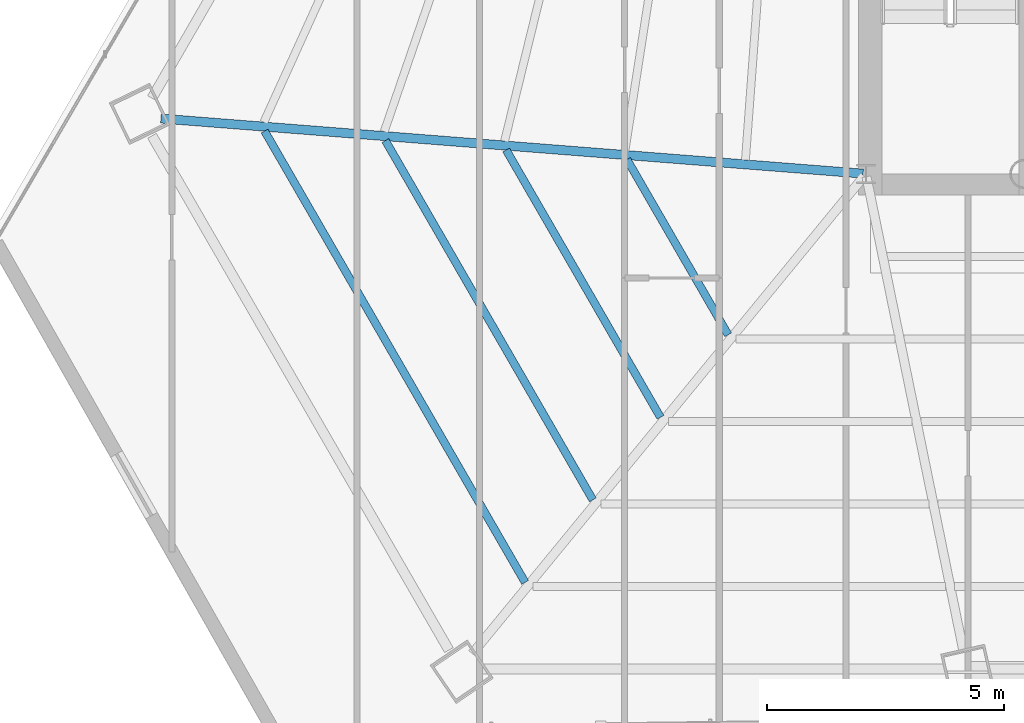
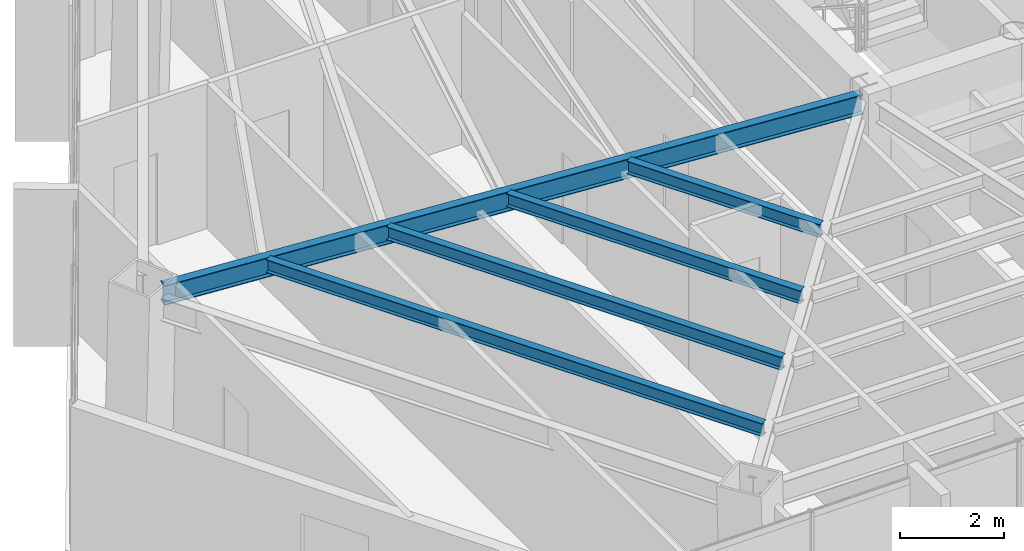
# One storey, part 7 of 42: 5 beams.
"""IFC4 building model written with IfcOpenShell, lengths in metres."""

from ifc_helpers import new_model, si_unit, direction, frame, origin, origin_2d, place, context, subcontext, project, spatial, i_section, extrude, source, transform, mapped, material, material_profile, profile_set, type_object, type_shapes, element, save


model = new_model("IFC4")

# Units and contexts
model_context = context("Model", 3, precision=1e-05, world=origin(), true_north=direction((0.0, 1.0)))
body_context = subcontext(model_context, "Body", "Model", "MODEL_VIEW")
ifc_project = project(units=[si_unit("LENGTHUNIT", "METRE"), si_unit("AREAUNIT", "SQUARE_METRE"), si_unit("VOLUMEUNIT", "CUBIC_METRE"), si_unit("PLANEANGLEUNIT", "RADIAN"), si_unit("MASSUNIT", "GRAM", prefix="KILO")], contexts=[model_context])

# Site, building, storey
site_placement = place(None, origin())
site = spatial("IfcSite", under=ifc_project, at=site_placement, CompositionType="ELEMENT")
building_placement = place(site_placement, origin())
building = spatial("IfcBuilding", under=site, at=building_placement, Name="Caelisora Broadcast Tower", CompositionType="ELEMENT")
storey_placement = place(building_placement, frame((0.0, 0.0, 131.800048828125)))
storey = spatial("IfcBuildingStorey", under=building, at=storey_placement, Name="L34", CompositionType="ELEMENT", Elevation=131.800048828125)

# Beams
ifc_material = material(Name="Steel Grade 350 (AS/NZS 3679.1)", Category="steel")
ifc_material_profile_1 = material_profile(ifc_material, i_section(OverallWidth=0.19091796875, OverallDepth=0.46044921875, WebThickness=0.010009765625, FlangeThickness=0.01611328125, at=origin_2d()), Name="Steel Grade 350 (AS/NZS 3679.1)")
ifc_profile_set_1 = profile_set([ifc_material_profile_1], Name="Steel Grade 350 (AS/NZS 3679.1)")
beam_type_1 = type_object("IfcBeamType", Name="PG06", PredefinedType="BEAM", material=ifc_profile_set_1)
shared_shape_1 = source(origin(), body_context, "Body", "SweptSolid", [
    extrude(i_section(OverallWidth=0.19091796875, OverallDepth=0.46044921875, WebThickness=0.010009765625, FlangeThickness=0.01611328125, at=origin_2d()), origin(), (0.0, 0.0, 1.0), 14.88720703125),
])
type_shapes(beam_type_1, [shared_shape_1])
beam_1_placement = place(storey_placement, frame((30.440185546875, 17.40478515625, 3.169677734375), z_axis=(-0.996936999029, 0.078208822825, 0.0), x_axis=(-0.078208822825, -0.996936999029, 0.0)))
element("IfcBeam", 1, at=beam_1_placement, inside=storey, type_object=beam_type_1, Name="L34 beam PG06", PredefinedType="BEAM", context=body_context, shape_type="MappedRepresentation", body=[
    mapped(shared_shape_1, transform((0.0, 0.0, 0.0), scale=1.0)),
])
ifc_material_profile_2 = material_profile(ifc_material, i_section(OverallWidth=0.166015625, OverallDepth=0.30712890625, WebThickness=0.006591796875, FlangeThickness=0.01171875, at=origin_2d()), Name="Steel Grade 350 (AS/NZS 3679.1)")
ifc_profile_set_2 = profile_set([ifc_material_profile_2], Name="Steel Grade 350 (AS/NZS 3679.1)")
beam_type_2 = type_object("IfcBeamType", Name="SB03", PredefinedType="JOIST", material=ifc_profile_set_2)
shared_shape_2 = source(origin(), body_context, "Body", "SweptSolid", [
    extrude(i_section(OverallWidth=0.166015625, OverallDepth=0.30712890625, WebThickness=0.006591796875, FlangeThickness=0.01171875, at=origin_2d()), origin(), (0.0, 0.0, 1.0), 4.2783203125),
])
beam_2_placement = place(storey_placement, frame((25.44970703125, 17.702880859375, 3.246337890625), z_axis=(0.500005662921, -0.866022134271, 0.0), x_axis=(0.866022134271, 0.500005662921, 0.0)))
element("IfcBeam", 2, at=beam_2_placement, inside=storey, type_object=beam_type_2, Name="L34 beam SB03", PredefinedType="JOIST", context=body_context, shape_type="MappedRepresentation", body=[
    mapped(shared_shape_2, transform((0.0, 0.0, 0.0), scale=1.0)),
])
shared_shape_3 = source(origin(), body_context, "Body", "SweptSolid", [
    extrude(i_section(OverallWidth=0.166015625, OverallDepth=0.30712890625, WebThickness=0.006591796875, FlangeThickness=0.01171875, at=origin_2d()), origin(), (0.0, 0.0, 1.0), 6.5234375),
])
beam_3_placement = place(storey_placement, frame((22.896484375, 17.9033203125, 3.246337890625), z_axis=(0.500003221507, -0.866023543838, 0.0), x_axis=(0.866023543838, 0.500003221507, 0.0)))
element("IfcBeam", 3, at=beam_3_placement, inside=storey, type_object=beam_type_2, Name="L34 beam SB03", PredefinedType="JOIST", context=body_context, shape_type="MappedRepresentation", body=[
    mapped(shared_shape_3, transform((0.0, 0.0, 0.0), scale=1.0)),
])
shared_shape_4 = source(origin(), body_context, "Body", "SweptSolid", [
    extrude(i_section(OverallWidth=0.166015625, OverallDepth=0.30712890625, WebThickness=0.006591796875, FlangeThickness=0.01171875, at=origin_2d()), origin(), (0.0, 0.0, 1.0), 8.768310546875),
])
beam_4_placement = place(storey_placement, frame((20.343017578125, 18.103515625, 3.246337890625), z_axis=(0.500014086895, -0.866017270559, 0.0), x_axis=(0.866017270559, 0.500014086895, 0.0)))
element("IfcBeam", 4, at=beam_4_placement, inside=storey, type_object=beam_type_2, Name="L34 beam SB03", PredefinedType="JOIST", context=body_context, shape_type="MappedRepresentation", body=[
    mapped(shared_shape_4, transform((0.0, 0.0, 0.0), scale=1.0)),
])
shared_shape_5 = source(origin(), body_context, "Body", "SweptSolid", [
    extrude(i_section(OverallWidth=0.166015625, OverallDepth=0.30712890625, WebThickness=0.006591796875, FlangeThickness=0.01171875, at=origin_2d()), origin(), (0.0, 0.0, 1.0), 11.013427734375),
])
type_shapes(beam_type_2, [shared_shape_2, shared_shape_3, shared_shape_4, shared_shape_5])
beam_5_placement = place(storey_placement, frame((17.789794921875, 18.303955078125, 3.246337890625), z_axis=(0.499984699181, -0.866034237536, 0.0), x_axis=(0.866034237536, 0.499984699181, 0.0)))
element("IfcBeam", 5, at=beam_5_placement, inside=storey, type_object=beam_type_2, Name="L34 beam SB03", PredefinedType="JOIST", context=body_context, shape_type="MappedRepresentation", body=[
    mapped(shared_shape_5, transform((0.0, 0.0, 0.0), scale=1.0)),
])

save(model, "model.ifc")
